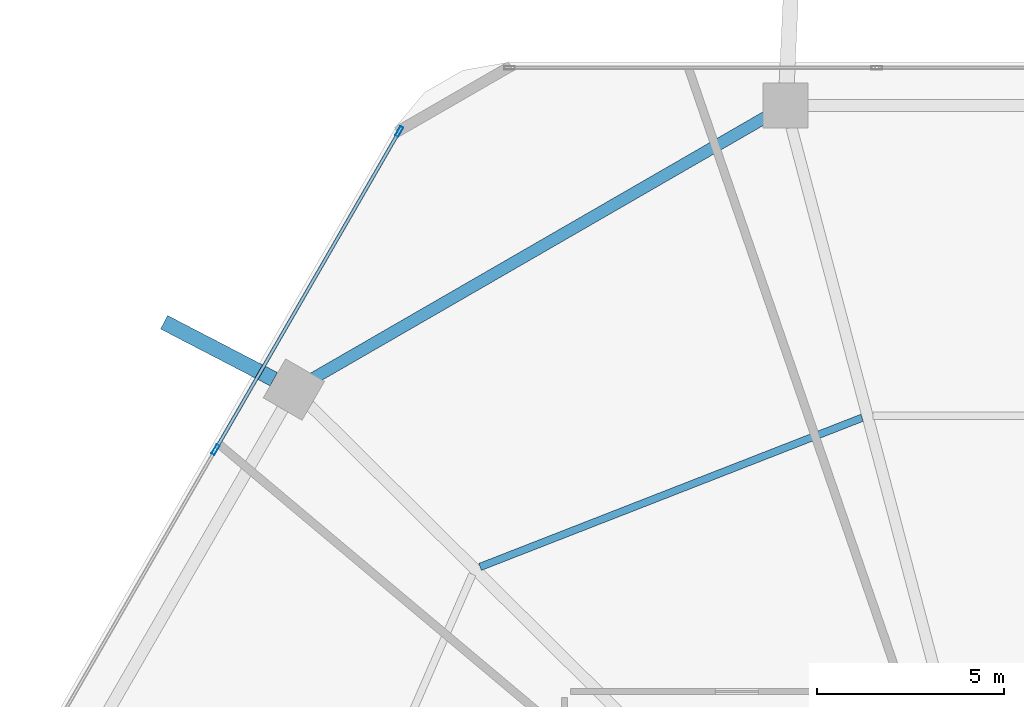
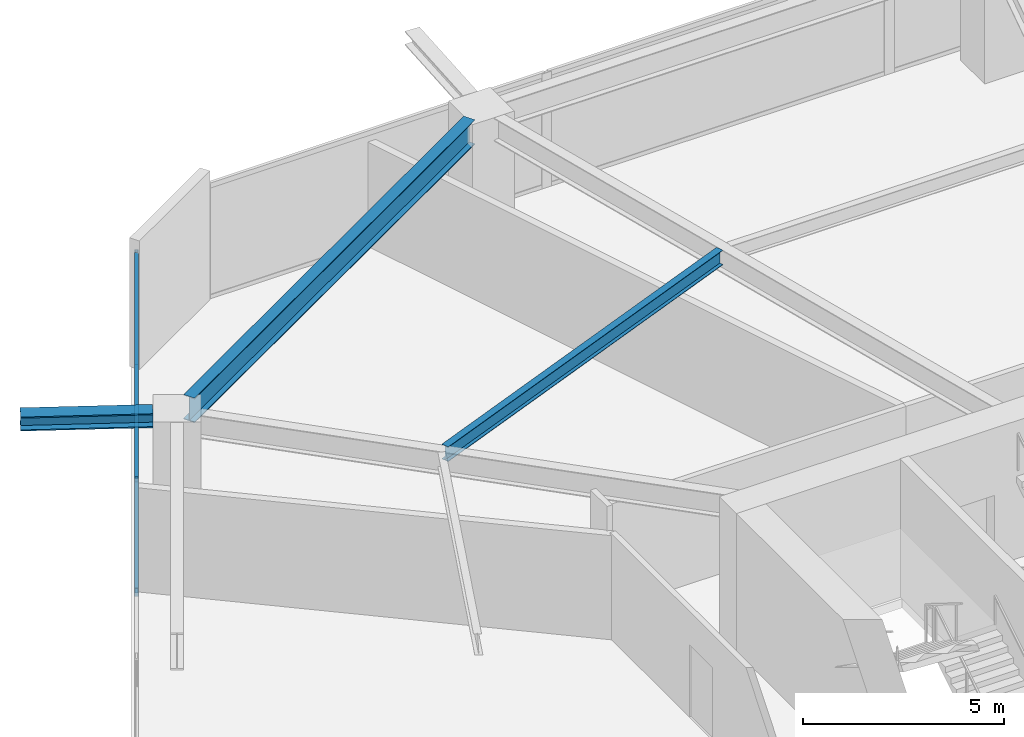
# One storey, part 14 of 25: 4 members, 3 beams, 1 element without a shape of its own.
"""IFC4 building model written with IfcOpenShell, lengths in metres."""

from ifc_helpers import new_model, si_unit, direction, frame, origin, origin_2d, place, context, subcontext, project, spatial, hollow_rectangle, i_section, extrude, material, material_profile, profile_set, type_object, element, aggregate, save


model = new_model("IFC4")

# Units and contexts
model_context = context("Model", 3, precision=1e-05, world=origin(), true_north=direction((0.0, 1.0)))
body_context = subcontext(model_context, "Body", "Model", "MODEL_VIEW")
ifc_project = project(units=[si_unit("LENGTHUNIT", "METRE"), si_unit("AREAUNIT", "SQUARE_METRE"), si_unit("VOLUMEUNIT", "CUBIC_METRE"), si_unit("PLANEANGLEUNIT", "RADIAN"), si_unit("MASSUNIT", "GRAM", prefix="KILO")], contexts=[model_context])

# Site, building, storey
site_placement = place(None, origin())
site = spatial("IfcSite", under=ifc_project, at=site_placement, CompositionType="ELEMENT")
building_placement = place(site_placement, origin())
building = spatial("IfcBuilding", under=site, at=building_placement, Name="Zuhravey Tower", CompositionType="ELEMENT")
storey_placement = place(building_placement, frame((0.0, 0.0, 45.60009765625)))
storey = spatial("IfcBuildingStorey", under=building, at=storey_placement, Name="L11", CompositionType="ELEMENT", Elevation=45.60009765625)

# Curtain wall, members
ifc_material_1 = material(Name="Thermally broken anodised aluminium", Category="aluminium")
curtain_wall_type = type_object("IfcCurtainWallType", Name="School Low-E Unitised Curtain Wall CW1", PredefinedType="NOTDEFINED", material=ifc_material_1)
curtain_wall_placement = place(storey_placement, origin())
curtain_wall = element("IfcCurtainWall", 1, at=curtain_wall_placement, inside=storey, type_object=curtain_wall_type, Name="L11 CW1 CW-L11-F3-1", PredefinedType="NOTDEFINED")
ifc_material_2 = material(Name="Anodised aluminium", Category="aluminium")
ifc_material_profile_1 = material_profile(ifc_material_2, hollow_rectangle(XDim=0.090087890625, YDim=0.284912109375, WallThickness=0.0048828125, at=origin_2d()), Name="ALU-RHS-90x285x5")
ifc_profile_set_1 = profile_set([ifc_material_profile_1], Name="Anodised aluminium")
member_type_1 = type_object("IfcMemberType", Name="Curtain-Wall Mullion 90x180", PredefinedType="MULLION", material=ifc_profile_set_1)
member_1_placement = place(storey_placement, frame((13.387939453125, 50.75146484375, 0.0), z_axis=(0.0, 0.0, 1.0), x_axis=(-0.86602552265, 0.499999794119, 0.0)))
member_1 = element("IfcMember", 2, at=member_1_placement, type_object=member_type_1, Name="CW1 mullion 3", PredefinedType="MULLION", context=body_context, shape_type="SweptSolid", body=[
    extrude(hollow_rectangle(XDim=0.090087890625, YDim=0.284912109375, WallThickness=0.0048828125, at=origin_2d()), origin(), (0.0, 0.0, 1.0), 3.491943359375),
])
member_2_placement = place(storey_placement, frame((18.298583984375, 59.257080078125, 0.0), z_axis=(0.0, 0.0, 1.0), x_axis=(-0.86602552265, 0.499999794119, 0.0)))
member_2 = element("IfcMember", 3, at=member_2_placement, type_object=member_type_1, Name="CW1 mullion 4", PredefinedType="MULLION", context=body_context, shape_type="SweptSolid", body=[
    extrude(hollow_rectangle(XDim=0.090087890625, YDim=0.284912109375, WallThickness=0.0048828125, at=origin_2d()), origin(), (0.0, 0.0, 1.0), 3.491943359375),
])
ifc_material_profile_2 = material_profile(ifc_material_2, hollow_rectangle(XDim=0.090087890625, YDim=0.14990234375, WallThickness=0.0048828125, at=origin_2d()), Name="ALU-RHS-90x150x5")
ifc_profile_set_2 = profile_set([ifc_material_profile_2], Name="Anodised aluminium")
member_type_2 = type_object("IfcMemberType", Name="Curtain-Wall Transom 90x150", PredefinedType="USERDEFINED", material=ifc_profile_set_2)
member_3_placement = place(storey_placement, frame((13.410400390625, 50.79052734375, 0.044921875), z_axis=(0.499989576763, 0.86603142156, 0.0), x_axis=(-0.86603142156, 0.499989576763, 0.0)))
member_3 = element("IfcMember", 4, at=member_3_placement, type_object=member_type_2, Name="CW1 transom 3.1", ObjectType="TRANSOM", PredefinedType="USERDEFINED", context=body_context, shape_type="SweptSolid", body=[
    extrude(hollow_rectangle(XDim=0.090087890625, YDim=0.14990234375, WallThickness=0.0048828125, at=origin_2d()), origin(), (0.0, 0.0, 1.0), 9.731201171875),
])
member_4_placement = place(storey_placement, frame((13.410400390625, 50.79052734375, 3.447021484375), z_axis=(0.499989576763, 0.86603142156, 0.0), x_axis=(-0.86603142156, 0.499989576763, 0.0)))
member_4 = element("IfcMember", 5, at=member_4_placement, type_object=member_type_2, Name="CW1 transom 3.2", ObjectType="TRANSOM", PredefinedType="USERDEFINED", context=body_context, shape_type="SweptSolid", body=[
    extrude(hollow_rectangle(XDim=0.090087890625, YDim=0.14990234375, WallThickness=0.0048828125, at=origin_2d()), origin(), (0.0, 0.0, 1.0), 9.731201171875),
])
aggregate(curtain_wall, [member_1, member_2, member_3, member_4])

# Beams
ifc_material_3 = material(Name="Steel SM460", Category="steel")
ifc_material_profile_3 = material_profile(ifc_material_3, i_section(OverallWidth=0.406982421875, OverallDepth=0.427978515625, WebThickness=0.02001953125, FlangeThickness=0.034912109375, at=origin_2d()), Name="H-428x407x20x35")
ifc_profile_set_3 = profile_set([ifc_material_profile_3], Name="Steel SM460")
beam_type_1 = type_object("IfcBeamType", Name="Exoskeleton Node Tie Beam H428x407", PredefinedType="BEAM", material=ifc_profile_set_3)
beam_1_placement = place(storey_placement, frame((14.9443359375, 52.635498046875, 3.705810546875), z_axis=(-0.88761807039, 0.46058024395, 0.0), x_axis=(-0.46058024395, -0.88761807039, 0.0)))
element("IfcBeam", 6, at=beam_1_placement, inside=storey, type_object=beam_type_1, Name="L11 Exoskeleton Node Tie NT1-05", PredefinedType="BEAM", context=body_context, shape_type="SweptSolid", body=[
    extrude(i_section(OverallWidth=0.406982421875, OverallDepth=0.427978515625, WebThickness=0.02001953125, FlangeThickness=0.034912109375, at=origin_2d()), origin(), (0.0, 0.0, 1.0), 3.304443359375),
])
ifc_material_4 = material(Name="Steel SM355", Category="steel")
ifc_material_profile_4 = material_profile(ifc_material_4, i_section(OverallWidth=0.320068359375, OverallDepth=0.75, WebThickness=0.013916015625, FlangeThickness=0.02490234375, at=origin_2d()), Name="H-750x320x14x25")
ifc_profile_set_4 = profile_set([ifc_material_profile_4], Name="Steel SM355")
beam_type_2 = type_object("IfcBeamType", Name="Perimeter Ring Beam H750x320", PredefinedType="BEAM", material=ifc_profile_set_4)
beam_2_placement = place(storey_placement, frame((28.10791015625, 59.64697265625, 3.544921875), z_axis=(-0.866029969761, -0.499992091414, 0.0), x_axis=(0.499992091414, -0.866029969761, 0.0)))
element("IfcBeam", 7, at=beam_2_placement, inside=storey, type_object=beam_type_2, Name="L11 PB1 BM-L11-PB-04", PredefinedType="BEAM", context=body_context, shape_type="SweptSolid", body=[
    extrude(i_section(OverallWidth=0.320068359375, OverallDepth=0.75, WebThickness=0.013916015625, FlangeThickness=0.02490234375, at=origin_2d()), origin(), (0.0, 0.0, 1.0), 13.977294921875),
])
ifc_material_profile_5 = material_profile(ifc_material_4, i_section(OverallWidth=0.199951171875, OverallDepth=0.449951171875, WebThickness=0.009033203125, FlangeThickness=0.013916015625, at=origin_2d()), Name="H-450x200x9x14")
ifc_profile_set_5 = profile_set([ifc_material_profile_5], Name="Steel SM355")
beam_type_3 = type_object("IfcBeamType", Name="Secondary Floor Joist H450x200", PredefinedType="JOIST", material=ifc_profile_set_5)
beam_3_placement = place(storey_placement, frame((30.67236328125, 51.60302734375, 3.69482421875), z_axis=(-0.931516535886, -0.363698973562, 0.0), x_axis=(0.363698973562, -0.931516535886, 0.0)))
element("IfcBeam", 8, at=beam_3_placement, inside=storey, type_object=beam_type_3, Name="L11 SJ1 BM-L11-SJ-04-1", PredefinedType="JOIST", context=body_context, shape_type="SweptSolid", body=[
    extrude(i_section(OverallWidth=0.199951171875, OverallDepth=0.449951171875, WebThickness=0.009033203125, FlangeThickness=0.013916015625, at=origin_2d()), origin(), (0.0, 0.0, 1.0), 10.963134765625),
])

save(model, "model.ifc")
